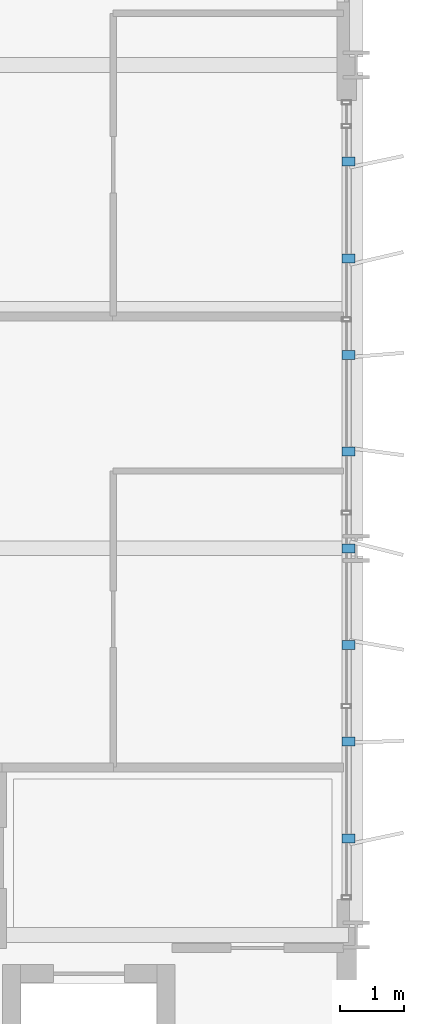
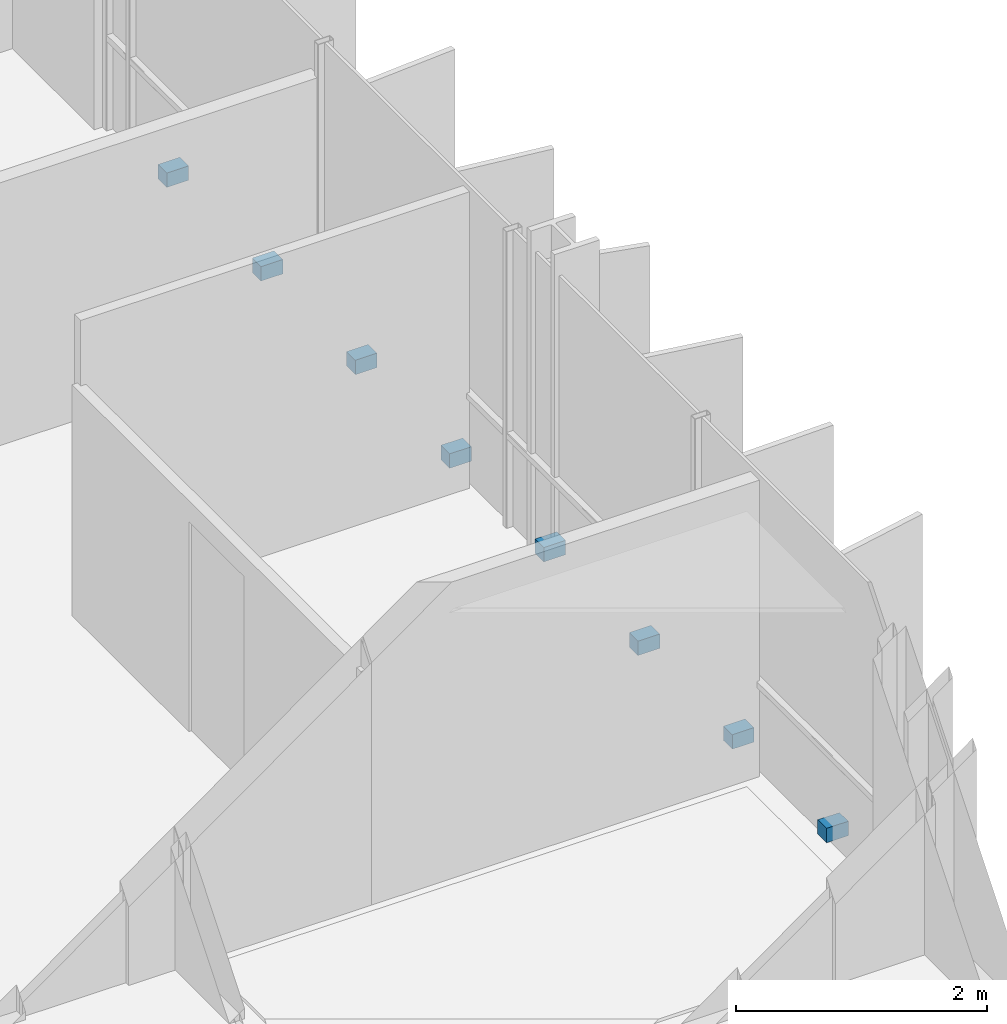
# One storey, part 35 of 39: 8 discrete accessories.
"""IFC4 building model written with IfcOpenShell, lengths in metres."""

from ifc_helpers import new_model, si_unit, direction, frame, origin, origin_2d, place, context, subcontext, project, spatial, rectangle, extrude, material, type_object, element, save


model = new_model("IFC4")

# Units and contexts
model_context = context("Model", 3, precision=1e-05, world=origin(), true_north=direction((0.0, 1.0)))
body_context = subcontext(model_context, "Body", "Model", "MODEL_VIEW")
ifc_project = project(units=[si_unit("LENGTHUNIT", "METRE"), si_unit("AREAUNIT", "SQUARE_METRE"), si_unit("VOLUMEUNIT", "CUBIC_METRE"), si_unit("PLANEANGLEUNIT", "RADIAN"), si_unit("MASSUNIT", "GRAM", prefix="KILO")], contexts=[model_context])

# Site, building, storey
site_placement = place(None, origin())
site = spatial("IfcSite", under=ifc_project, at=site_placement, CompositionType="ELEMENT")
building_placement = place(site_placement, origin())
building = spatial("IfcBuilding", under=site, at=building_placement, Name="Brevholm Reach", CompositionType="ELEMENT")
storey_placement = place(building_placement, frame((0.0, 0.0, 109.699951171875)))
storey = spatial("IfcBuildingStorey", under=building, at=storey_placement, Name="L32", CompositionType="ELEMENT", Elevation=109.699951171875)

# Discrete accessories
ifc_material = material(Name="Duplex Stainless Steel EN 1.4462", Category="steel")
discrete_accessory_type = type_object("IfcDiscreteAccessoryType", Name="ACC-BRK-01", PredefinedType="BRACKET", material=ifc_material)
for number, where, z_axis, x_axis, name in (
    (1, (59.8798828125, 11.5, 0.0302734375), (0.0, 0.0, 1.0), (1.0, 0.0, 0.0), "L32 Solar Screen Support Bracket 1"),
    (2, (59.8798828125, 13.0, 0.0302734375), (0.0, 0.0, 1.0), (1.0, 0.0, 0.0), "L32 Solar Screen Support Bracket 2"),
    (3, (59.8798828125, 14.5, 0.0302734375), (0.0, 0.0, 1.0), (1.0, 0.0, 0.0), "L32 Solar Screen Support Bracket 3"),
    (4, (59.8798828125, 16.0, 0.0302734375), (0.0, 0.0, 1.0), (1.0, 0.0, 0.0), "L32 Solar Screen Support Bracket 4"),
    (5, (59.8798828125, 17.5, 0.0302734375), (0.0, 0.0, 1.0), (1.0, 0.0, 0.0), "L32 Solar Screen Support Bracket 5"),
    (6, (59.8798828125, 19.0, 0.0302734375), (0.0, 0.0, 1.0), (1.0, 0.0, 0.0), "L32 Solar Screen Support Bracket 6"),
    (7, (59.8798828125, 20.5, 0.0302734375), (0.0, 0.0, 1.0), (1.0, 0.0, 0.0), "L32 Solar Screen Support Bracket 7"),
    (8, (59.8798828125, 22.0, 0.0302734375), (0.0, 0.0, 1.0), (1.0, 0.0, 0.0), "L32 Solar Screen Support Bracket 8"),
):
    element("IfcDiscreteAccessory", number, at=place(storey_placement, frame(where, z_axis=z_axis, x_axis=x_axis)), inside=storey, type_object=discrete_accessory_type, Name=name, PredefinedType="BRACKET", context=body_context, shape_type="SweptSolid", body=[
        extrude(rectangle(XDim=0.199951171875, YDim=0.139892578125, at=origin_2d()), origin(), (0.0, 0.0, 1.0), 0.139892578125),
    ])

save(model, "model.ifc")
